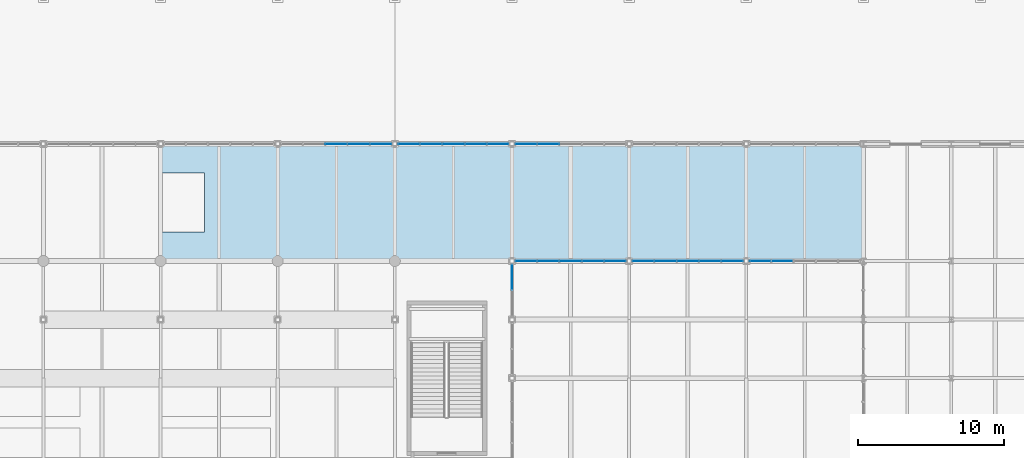
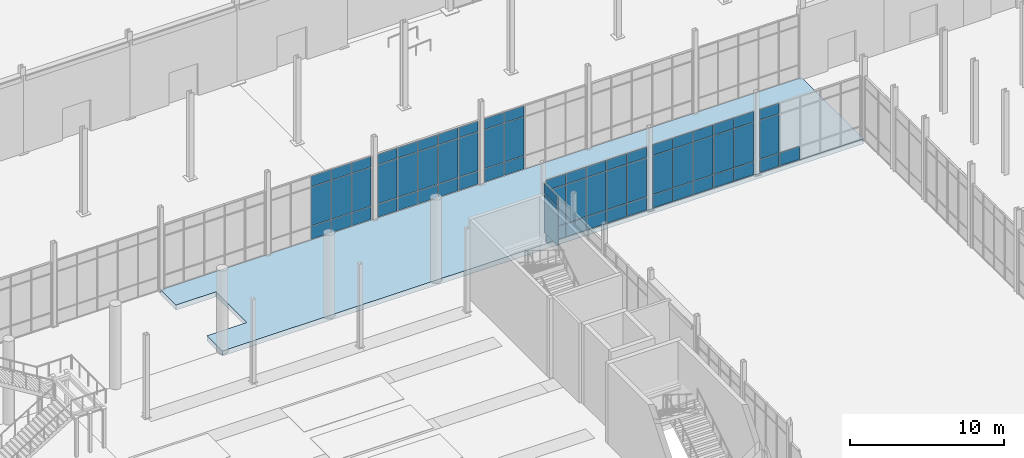
# One storey, part 101 of 140: 66 plates, 1 slab, 7 elements without a shape of their own.
"""IFC4 building model written with IfcOpenShell, lengths in metres."""

from ifc_helpers import new_model, si_unit, direction, frame, origin, origin_2d, place, context, subcontext, project, spatial, polyline, rectangle, outline, extrude, material, layer, layer_set, type_object, element, aggregate, save


model = new_model("IFC4")

# Units and contexts
model_context = context("Model", 3, precision=1e-05, world=origin(), true_north=direction((0.0, 1.0)))
body_context = subcontext(model_context, "Body", "Model", "MODEL_VIEW")
ifc_project = project(units=[si_unit("LENGTHUNIT", "METRE"), si_unit("AREAUNIT", "SQUARE_METRE"), si_unit("VOLUMEUNIT", "CUBIC_METRE"), si_unit("PLANEANGLEUNIT", "RADIAN"), si_unit("MASSUNIT", "GRAM", prefix="KILO")], contexts=[model_context])

# Site, building, storey
site_placement = place(None, origin())
site = spatial("IfcSite", under=ifc_project, at=site_placement, CompositionType="ELEMENT")
building_placement = place(site_placement, origin())
building = spatial("IfcBuilding", under=site, at=building_placement, Name="Verrall Gate Interchange", CompositionType="ELEMENT")
storey_placement = place(building_placement, origin())
storey = spatial("IfcBuildingStorey", under=building, at=storey_placement, Name="L01", CompositionType="ELEMENT", Elevation=0.0)

# Curtain wall, plates
ifc_material_1 = material(Name="Thermally Broken Anodized Aluminium Curtain Wall Framing", Category="aluminium")
curtain_wall_type_1 = type_object("IfcCurtainWallType", Name="CW-05 Unitized Curtain Wall 3631x5100", PredefinedType="NOTDEFINED", material=ifc_material_1)
curtain_wall_1_placement = place(storey_placement, origin())
curtain_wall_1 = element("IfcCurtainWall", 1, at=curtain_wall_1_placement, inside=storey, type_object=curtain_wall_type_1, Name="L01 Unitized Curtain Wall CW-L01-008", PredefinedType="NOTDEFINED")
ifc_material_2 = material(Name="Triple-Glazed Low-E Argon Insulated Curtain Panel (U=1.45)", Category="glass")
ifc_layer_1 = layer(ifc_material_2, 0.030029296875)
ifc_layer_set_1 = layer_set([ifc_layer_1], Name="Triple-Glazed Low-E Argon Insulated Curtain Panel (U=1.45)")
plate_type_1 = type_object("IfcPlateType", Name="CP-01 Curtain Glazing Panel 30", PredefinedType="CURTAIN_PANEL", material=ifc_layer_set_1)
plate_1_placement = place(storey_placement, frame((108.0, 46.8916015625, 1.1220703125), z_axis=(0.0, 0.0, 1.0), x_axis=(0.0, 1.0, 0.0)))
plate_1 = element("IfcPlate", 2, at=plate_1_placement, type_object=plate_type_1, Name="CW-L01-008 Glazing Panel 2.2", PredefinedType="CURTAIN_PANEL", context=body_context, shape_type="SweptSolid", body=[
    extrude(rectangle(XDim=1.73876953125, YDim=0.030029296875, at=origin_2d()), origin(), (0.0, 0.0, 1.0), 3.055908203125),
])
plate_2_placement = place(storey_placement, frame((108.0, 46.8916015625, 4.22216796875), z_axis=(0.0, 0.0, 1.0), x_axis=(0.0, 1.0, 0.0)))
plate_2 = element("IfcPlate", 3, at=plate_2_placement, type_object=plate_type_1, Name="CW-L01-008 Glazing Panel 2.3", PredefinedType="CURTAIN_PANEL", context=body_context, shape_type="SweptSolid", body=[
    extrude(rectangle(XDim=1.73876953125, YDim=0.030029296875, at=origin_2d()), origin(), (0.0, 0.0, 1.0), 0.8232421875),
])
aggregate(curtain_wall_1, [plate_1, plate_2])

ifc_material_3 = material(Name="Thermally Broken Anodized Aluminium Curtain Wall Framing", Category="aluminium")
curtain_wall_type_2 = type_object("IfcCurtainWallType", Name="CW-06 Unitized Curtain Wall 7631x5100", PredefinedType="NOTDEFINED", material=ifc_material_3)
curtain_wall_2_placement = place(storey_placement, origin())
curtain_wall_2 = element("IfcCurtainWall", 4, at=curtain_wall_2_placement, inside=storey, type_object=curtain_wall_type_2, Name="L01 Unitized Curtain Wall CW-L01-009", PredefinedType="NOTDEFINED")
plate_3_placement = place(storey_placement, frame((108.96630859375, 48.0, 0.06298828125), z_axis=(0.0, 0.0, 1.0), x_axis=(1.0, 0.0, 0.0)))
plate_3 = element("IfcPlate", 5, at=plate_3_placement, type_object=plate_type_1, Name="CW-L01-009 Glazing Panel 1.1", PredefinedType="CURTAIN_PANEL", context=body_context, shape_type="SweptSolid", body=[
    extrude(rectangle(XDim=1.437744140625, YDim=0.030029296875, at=origin_2d()), origin(), (0.0, 0.0, 1.0), 1.011474609375),
])
plate_4_placement = place(storey_placement, frame((108.96630859375, 48.0, 1.12548828125), z_axis=(0.0, 0.0, 1.0), x_axis=(1.0, 0.0, 0.0)))
plate_4 = element("IfcPlate", 6, at=plate_4_placement, type_object=plate_type_1, Name="CW-L01-009 Glazing Panel 1.2", PredefinedType="CURTAIN_PANEL", context=body_context, shape_type="SweptSolid", body=[
    extrude(rectangle(XDim=1.437744140625, YDim=0.030029296875, at=origin_2d()), origin(), (0.0, 0.0, 1.0), 3.049072265625),
])
plate_5_placement = place(storey_placement, frame((108.96630859375, 48.0, 4.225341796875), z_axis=(0.0, 0.0, 1.0), x_axis=(1.0, 0.0, 0.0)))
plate_5 = element("IfcPlate", 7, at=plate_5_placement, type_object=plate_type_1, Name="CW-L01-009 Glazing Panel 1.3", PredefinedType="CURTAIN_PANEL", context=body_context, shape_type="SweptSolid", body=[
    extrude(rectangle(XDim=1.437744140625, YDim=0.030029296875, at=origin_2d()), origin(), (0.0, 0.0, 1.0), 0.8115234375),
])
plate_6_placement = place(storey_placement, frame((110.473876953125, 48.0, 0.06298828125), z_axis=(0.0, 0.0, 1.0), x_axis=(1.0, 0.0, 0.0)))
plate_6 = element("IfcPlate", 8, at=plate_6_placement, type_object=plate_type_1, Name="CW-L01-009 Glazing Panel 2.1", PredefinedType="CURTAIN_PANEL", context=body_context, shape_type="SweptSolid", body=[
    extrude(rectangle(XDim=1.47509765625, YDim=0.030029296875, at=origin_2d()), origin(), (0.0, 0.0, 1.0), 1.011474609375),
])
plate_7_placement = place(storey_placement, frame((110.473876953125, 48.0, 1.12548828125), z_axis=(0.0, 0.0, 1.0), x_axis=(1.0, 0.0, 0.0)))
plate_7 = element("IfcPlate", 9, at=plate_7_placement, type_object=plate_type_1, Name="CW-L01-009 Glazing Panel 2.2", PredefinedType="CURTAIN_PANEL", context=body_context, shape_type="SweptSolid", body=[
    extrude(rectangle(XDim=1.47509765625, YDim=0.030029296875, at=origin_2d()), origin(), (0.0, 0.0, 1.0), 3.049072265625),
])
plate_8_placement = place(storey_placement, frame((110.473876953125, 48.0, 4.225341796875), z_axis=(0.0, 0.0, 1.0), x_axis=(1.0, 0.0, 0.0)))
plate_8 = element("IfcPlate", 10, at=plate_8_placement, type_object=plate_type_1, Name="CW-L01-009 Glazing Panel 2.3", PredefinedType="CURTAIN_PANEL", context=body_context, shape_type="SweptSolid", body=[
    extrude(rectangle(XDim=1.47509765625, YDim=0.030029296875, at=origin_2d()), origin(), (0.0, 0.0, 1.0), 0.8115234375),
])
plate_9_placement = place(storey_placement, frame((112.0, 48.0, 0.06298828125), z_axis=(0.0, 0.0, 1.0), x_axis=(1.0, 0.0, 0.0)))
plate_9 = element("IfcPlate", 11, at=plate_9_placement, type_object=plate_type_1, Name="CW-L01-009 Glazing Panel 3.1", PredefinedType="CURTAIN_PANEL", context=body_context, shape_type="SweptSolid", body=[
    extrude(rectangle(XDim=1.47509765625, YDim=0.030029296875, at=origin_2d()), origin(), (0.0, 0.0, 1.0), 1.011474609375),
])
plate_10_placement = place(storey_placement, frame((112.0, 48.0, 1.12548828125), z_axis=(0.0, 0.0, 1.0), x_axis=(1.0, 0.0, 0.0)))
plate_10 = element("IfcPlate", 12, at=plate_10_placement, type_object=plate_type_1, Name="CW-L01-009 Glazing Panel 3.2", PredefinedType="CURTAIN_PANEL", context=body_context, shape_type="SweptSolid", body=[
    extrude(rectangle(XDim=1.47509765625, YDim=0.030029296875, at=origin_2d()), origin(), (0.0, 0.0, 1.0), 3.049072265625),
])
plate_11_placement = place(storey_placement, frame((112.0, 48.0, 4.225341796875), z_axis=(0.0, 0.0, 1.0), x_axis=(1.0, 0.0, 0.0)))
plate_11 = element("IfcPlate", 13, at=plate_11_placement, type_object=plate_type_1, Name="CW-L01-009 Glazing Panel 3.3", PredefinedType="CURTAIN_PANEL", context=body_context, shape_type="SweptSolid", body=[
    extrude(rectangle(XDim=1.47509765625, YDim=0.030029296875, at=origin_2d()), origin(), (0.0, 0.0, 1.0), 0.8115234375),
])
plate_12_placement = place(storey_placement, frame((113.526123046875, 48.0, 0.06298828125), z_axis=(0.0, 0.0, 1.0), x_axis=(1.0, 0.0, 0.0)))
plate_12 = element("IfcPlate", 14, at=plate_12_placement, type_object=plate_type_1, Name="CW-L01-009 Glazing Panel 4.1", PredefinedType="CURTAIN_PANEL", context=body_context, shape_type="SweptSolid", body=[
    extrude(rectangle(XDim=1.47509765625, YDim=0.030029296875, at=origin_2d()), origin(), (0.0, 0.0, 1.0), 1.011474609375),
])
plate_13_placement = place(storey_placement, frame((113.526123046875, 48.0, 1.12548828125), z_axis=(0.0, 0.0, 1.0), x_axis=(1.0, 0.0, 0.0)))
plate_13 = element("IfcPlate", 15, at=plate_13_placement, type_object=plate_type_1, Name="CW-L01-009 Glazing Panel 4.2", PredefinedType="CURTAIN_PANEL", context=body_context, shape_type="SweptSolid", body=[
    extrude(rectangle(XDim=1.47509765625, YDim=0.030029296875, at=origin_2d()), origin(), (0.0, 0.0, 1.0), 3.049072265625),
])
plate_14_placement = place(storey_placement, frame((113.526123046875, 48.0, 4.225341796875), z_axis=(0.0, 0.0, 1.0), x_axis=(1.0, 0.0, 0.0)))
plate_14 = element("IfcPlate", 16, at=plate_14_placement, type_object=plate_type_1, Name="CW-L01-009 Glazing Panel 4.3", PredefinedType="CURTAIN_PANEL", context=body_context, shape_type="SweptSolid", body=[
    extrude(rectangle(XDim=1.47509765625, YDim=0.030029296875, at=origin_2d()), origin(), (0.0, 0.0, 1.0), 0.8115234375),
])
plate_15_placement = place(storey_placement, frame((115.03369140625, 48.0, 0.06298828125), z_axis=(0.0, 0.0, 1.0), x_axis=(1.0, 0.0, 0.0)))
plate_15 = element("IfcPlate", 17, at=plate_15_placement, type_object=plate_type_1, Name="CW-L01-009 Glazing Panel 5.1", PredefinedType="CURTAIN_PANEL", context=body_context, shape_type="SweptSolid", body=[
    extrude(rectangle(XDim=1.437744140625, YDim=0.030029296875, at=origin_2d()), origin(), (0.0, 0.0, 1.0), 1.011474609375),
])
plate_16_placement = place(storey_placement, frame((115.03369140625, 48.0, 1.12548828125), z_axis=(0.0, 0.0, 1.0), x_axis=(1.0, 0.0, 0.0)))
plate_16 = element("IfcPlate", 18, at=plate_16_placement, type_object=plate_type_1, Name="CW-L01-009 Glazing Panel 5.2", PredefinedType="CURTAIN_PANEL", context=body_context, shape_type="SweptSolid", body=[
    extrude(rectangle(XDim=1.437744140625, YDim=0.030029296875, at=origin_2d()), origin(), (0.0, 0.0, 1.0), 3.049072265625),
])
plate_17_placement = place(storey_placement, frame((115.03369140625, 48.0, 4.225341796875), z_axis=(0.0, 0.0, 1.0), x_axis=(1.0, 0.0, 0.0)))
plate_17 = element("IfcPlate", 19, at=plate_17_placement, type_object=plate_type_1, Name="CW-L01-009 Glazing Panel 5.3", PredefinedType="CURTAIN_PANEL", context=body_context, shape_type="SweptSolid", body=[
    extrude(rectangle(XDim=1.437744140625, YDim=0.030029296875, at=origin_2d()), origin(), (0.0, 0.0, 1.0), 0.8115234375),
])
aggregate(curtain_wall_2, [plate_3, plate_4, plate_5, plate_6, plate_7, plate_8, plate_9, plate_10, plate_11, plate_12, plate_13, plate_14, plate_15, plate_16, plate_17])

curtain_wall_3_placement = place(storey_placement, origin())
curtain_wall_3 = element("IfcCurtainWall", 20, at=curtain_wall_3_placement, inside=storey, type_object=curtain_wall_type_2, Name="L01 Unitized Curtain Wall CW-L01-016", PredefinedType="NOTDEFINED")
plate_18_placement = place(storey_placement, frame((99.0361328125, 56.0, 0.0546875), z_axis=(0.0, 0.0, 1.0), x_axis=(-1.0, 0.0, 0.0)))
plate_18 = element("IfcPlate", 21, at=plate_18_placement, type_object=plate_type_1, Name="CW-L01-016 Glazing Panel 1.1", PredefinedType="CURTAIN_PANEL", context=body_context, shape_type="SweptSolid", body=[
    extrude(rectangle(XDim=1.449462890625, YDim=0.030029296875, at=origin_2d()), origin(), (0.0, 0.0, 1.0), 1.023193359375),
])
plate_19_placement = place(storey_placement, frame((99.0361328125, 56.0, 1.1220703125), z_axis=(0.0, 0.0, 1.0), x_axis=(-1.0, 0.0, 0.0)))
plate_19 = element("IfcPlate", 22, at=plate_19_placement, type_object=plate_type_1, Name="CW-L01-016 Glazing Panel 1.2", PredefinedType="CURTAIN_PANEL", context=body_context, shape_type="SweptSolid", body=[
    extrude(rectangle(XDim=1.449462890625, YDim=0.030029296875, at=origin_2d()), origin(), (0.0, 0.0, 1.0), 3.055908203125),
])
plate_20_placement = place(storey_placement, frame((99.0361328125, 56.0, 4.22216796875), z_axis=(0.0, 0.0, 1.0), x_axis=(-1.0, 0.0, 0.0)))
plate_20 = element("IfcPlate", 23, at=plate_20_placement, type_object=plate_type_1, Name="CW-L01-016 Glazing Panel 1.3", PredefinedType="CURTAIN_PANEL", context=body_context, shape_type="SweptSolid", body=[
    extrude(rectangle(XDim=1.449462890625, YDim=0.030029296875, at=origin_2d()), origin(), (0.0, 0.0, 1.0), 0.8232421875),
])
plate_21_placement = place(storey_placement, frame((97.526123046875, 56.0, 0.0546875), z_axis=(0.0, 0.0, 1.0), x_axis=(-1.0, 0.0, 0.0)))
plate_21 = element("IfcPlate", 24, at=plate_21_placement, type_object=plate_type_1, Name="CW-L01-016 Glazing Panel 2.1", PredefinedType="CURTAIN_PANEL", context=body_context, shape_type="SweptSolid", body=[
    extrude(rectangle(XDim=1.48193359375, YDim=0.030029296875, at=origin_2d()), origin(), (0.0, 0.0, 1.0), 1.023193359375),
])
plate_22_placement = place(storey_placement, frame((97.526123046875, 56.0, 1.1220703125), z_axis=(0.0, 0.0, 1.0), x_axis=(-1.0, 0.0, 0.0)))
plate_22 = element("IfcPlate", 25, at=plate_22_placement, type_object=plate_type_1, Name="CW-L01-016 Glazing Panel 2.2", PredefinedType="CURTAIN_PANEL", context=body_context, shape_type="SweptSolid", body=[
    extrude(rectangle(XDim=1.48193359375, YDim=0.030029296875, at=origin_2d()), origin(), (0.0, 0.0, 1.0), 3.055908203125),
])
plate_23_placement = place(storey_placement, frame((97.526123046875, 56.0, 4.22216796875), z_axis=(0.0, 0.0, 1.0), x_axis=(-1.0, 0.0, 0.0)))
plate_23 = element("IfcPlate", 26, at=plate_23_placement, type_object=plate_type_1, Name="CW-L01-016 Glazing Panel 2.3", PredefinedType="CURTAIN_PANEL", context=body_context, shape_type="SweptSolid", body=[
    extrude(rectangle(XDim=1.48193359375, YDim=0.030029296875, at=origin_2d()), origin(), (0.0, 0.0, 1.0), 0.8232421875),
])
plate_24_placement = place(storey_placement, frame((96.0, 56.0, 0.0546875), z_axis=(0.0, 0.0, 1.0), x_axis=(-1.0, 0.0, 0.0)))
plate_24 = element("IfcPlate", 27, at=plate_24_placement, type_object=plate_type_1, Name="CW-L01-016 Glazing Panel 3.1", PredefinedType="CURTAIN_PANEL", context=body_context, shape_type="SweptSolid", body=[
    extrude(rectangle(XDim=1.48193359375, YDim=0.030029296875, at=origin_2d()), origin(), (0.0, 0.0, 1.0), 1.023193359375),
])
plate_25_placement = place(storey_placement, frame((96.0, 56.0, 1.1220703125), z_axis=(0.0, 0.0, 1.0), x_axis=(-1.0, 0.0, 0.0)))
plate_25 = element("IfcPlate", 28, at=plate_25_placement, type_object=plate_type_1, Name="CW-L01-016 Glazing Panel 3.2", PredefinedType="CURTAIN_PANEL", context=body_context, shape_type="SweptSolid", body=[
    extrude(rectangle(XDim=1.48193359375, YDim=0.030029296875, at=origin_2d()), origin(), (0.0, 0.0, 1.0), 3.055908203125),
])
plate_26_placement = place(storey_placement, frame((96.0, 56.0, 4.22216796875), z_axis=(0.0, 0.0, 1.0), x_axis=(-1.0, 0.0, 0.0)))
plate_26 = element("IfcPlate", 29, at=plate_26_placement, type_object=plate_type_1, Name="CW-L01-016 Glazing Panel 3.3", PredefinedType="CURTAIN_PANEL", context=body_context, shape_type="SweptSolid", body=[
    extrude(rectangle(XDim=1.48193359375, YDim=0.030029296875, at=origin_2d()), origin(), (0.0, 0.0, 1.0), 0.8232421875),
])
aggregate(curtain_wall_3, [plate_18, plate_19, plate_20, plate_21, plate_22, plate_23, plate_24, plate_25, plate_26])

curtain_wall_4_placement = place(storey_placement, origin())
curtain_wall_4 = element("IfcCurtainWall", 30, at=curtain_wall_4_placement, inside=storey, type_object=curtain_wall_type_2, Name="L01 Unitized Curtain Wall CW-L01-010", PredefinedType="NOTDEFINED")
ifc_material_4 = material(Name="Triple-Glazed Low-E Argon Insulated Curtain Panel (U=1.45)", Category="glass")
ifc_layer_2 = layer(ifc_material_4, 0.0400390625)
ifc_layer_set_2 = layer_set([ifc_layer_2], Name="Triple-Glazed Low-E Argon Insulated Curtain Panel (U=1.45)")
plate_type_2 = type_object("IfcPlateType", Name="CP-02 Curtain Glazing Panel 40", PredefinedType="CURTAIN_PANEL", material=ifc_layer_set_2)
plate_27_placement = place(storey_placement, frame((116.9638671875, 48.0, 0.0546875), z_axis=(0.0, 0.0, 1.0), x_axis=(1.0, 0.0, 0.0)))
plate_27 = element("IfcPlate", 31, at=plate_27_placement, type_object=plate_type_2, Name="CW-L01-010 Glazing Panel 1.1", PredefinedType="CURTAIN_PANEL", context=body_context, shape_type="SweptSolid", body=[
    extrude(rectangle(XDim=1.449462890625, YDim=0.0400390625, at=origin_2d()), origin(), (0.0, 0.0, 1.0), 1.023193359375),
])
plate_28_placement = place(storey_placement, frame((116.9638671875, 48.0, 1.1220703125), z_axis=(0.0, 0.0, 1.0), x_axis=(1.0, 0.0, 0.0)))
plate_28 = element("IfcPlate", 32, at=plate_28_placement, type_object=plate_type_2, Name="CW-L01-010 Glazing Panel 1.2", PredefinedType="CURTAIN_PANEL", context=body_context, shape_type="SweptSolid", body=[
    extrude(rectangle(XDim=1.449462890625, YDim=0.0400390625, at=origin_2d()), origin(), (0.0, 0.0, 1.0), 3.055908203125),
])
plate_29_placement = place(storey_placement, frame((116.9638671875, 48.0, 4.22216796875), z_axis=(0.0, 0.0, 1.0), x_axis=(1.0, 0.0, 0.0)))
plate_29 = element("IfcPlate", 33, at=plate_29_placement, type_object=plate_type_2, Name="CW-L01-010 Glazing Panel 1.3", PredefinedType="CURTAIN_PANEL", context=body_context, shape_type="SweptSolid", body=[
    extrude(rectangle(XDim=1.449462890625, YDim=0.0400390625, at=origin_2d()), origin(), (0.0, 0.0, 1.0), 0.8232421875),
])
plate_30_placement = place(storey_placement, frame((118.473876953125, 48.0, 0.0546875), z_axis=(0.0, 0.0, 1.0), x_axis=(1.0, 0.0, 0.0)))
plate_30 = element("IfcPlate", 34, at=plate_30_placement, type_object=plate_type_2, Name="CW-L01-010 Glazing Panel 2.1", PredefinedType="CURTAIN_PANEL", context=body_context, shape_type="SweptSolid", body=[
    extrude(rectangle(XDim=1.48193359375, YDim=0.0400390625, at=origin_2d()), origin(), (0.0, 0.0, 1.0), 1.023193359375),
])
plate_31_placement = place(storey_placement, frame((118.473876953125, 48.0, 1.1220703125), z_axis=(0.0, 0.0, 1.0), x_axis=(1.0, 0.0, 0.0)))
plate_31 = element("IfcPlate", 35, at=plate_31_placement, type_object=plate_type_2, Name="CW-L01-010 Glazing Panel 2.2", PredefinedType="CURTAIN_PANEL", context=body_context, shape_type="SweptSolid", body=[
    extrude(rectangle(XDim=1.48193359375, YDim=0.0400390625, at=origin_2d()), origin(), (0.0, 0.0, 1.0), 3.055908203125),
])
plate_32_placement = place(storey_placement, frame((118.473876953125, 48.0, 4.22216796875), z_axis=(0.0, 0.0, 1.0), x_axis=(1.0, 0.0, 0.0)))
plate_32 = element("IfcPlate", 36, at=plate_32_placement, type_object=plate_type_2, Name="CW-L01-010 Glazing Panel 2.3", PredefinedType="CURTAIN_PANEL", context=body_context, shape_type="SweptSolid", body=[
    extrude(rectangle(XDim=1.48193359375, YDim=0.0400390625, at=origin_2d()), origin(), (0.0, 0.0, 1.0), 0.8232421875),
])
plate_33_placement = place(storey_placement, frame((120.0, 48.0, 0.0546875), z_axis=(0.0, 0.0, 1.0), x_axis=(1.0, 0.0, 0.0)))
plate_33 = element("IfcPlate", 37, at=plate_33_placement, type_object=plate_type_2, Name="CW-L01-010 Glazing Panel 3.1", PredefinedType="CURTAIN_PANEL", context=body_context, shape_type="SweptSolid", body=[
    extrude(rectangle(XDim=1.48193359375, YDim=0.0400390625, at=origin_2d()), origin(), (0.0, 0.0, 1.0), 1.023193359375),
])
plate_34_placement = place(storey_placement, frame((120.0, 48.0, 1.1220703125), z_axis=(0.0, 0.0, 1.0), x_axis=(1.0, 0.0, 0.0)))
plate_34 = element("IfcPlate", 38, at=plate_34_placement, type_object=plate_type_2, Name="CW-L01-010 Glazing Panel 3.2", PredefinedType="CURTAIN_PANEL", context=body_context, shape_type="SweptSolid", body=[
    extrude(rectangle(XDim=1.48193359375, YDim=0.0400390625, at=origin_2d()), origin(), (0.0, 0.0, 1.0), 3.055908203125),
])
plate_35_placement = place(storey_placement, frame((120.0, 48.0, 4.22216796875), z_axis=(0.0, 0.0, 1.0), x_axis=(1.0, 0.0, 0.0)))
plate_35 = element("IfcPlate", 39, at=plate_35_placement, type_object=plate_type_2, Name="CW-L01-010 Glazing Panel 3.3", PredefinedType="CURTAIN_PANEL", context=body_context, shape_type="SweptSolid", body=[
    extrude(rectangle(XDim=1.48193359375, YDim=0.0400390625, at=origin_2d()), origin(), (0.0, 0.0, 1.0), 0.8232421875),
])
plate_36_placement = place(storey_placement, frame((121.526123046875, 48.0, 0.0546875), z_axis=(0.0, 0.0, 1.0), x_axis=(1.0, 0.0, 0.0)))
plate_36 = element("IfcPlate", 40, at=plate_36_placement, type_object=plate_type_2, Name="CW-L01-010 Glazing Panel 4.1", PredefinedType="CURTAIN_PANEL", context=body_context, shape_type="SweptSolid", body=[
    extrude(rectangle(XDim=1.48193359375, YDim=0.0400390625, at=origin_2d()), origin(), (0.0, 0.0, 1.0), 1.023193359375),
])
plate_37_placement = place(storey_placement, frame((121.526123046875, 48.0, 1.1220703125), z_axis=(0.0, 0.0, 1.0), x_axis=(1.0, 0.0, 0.0)))
plate_37 = element("IfcPlate", 41, at=plate_37_placement, type_object=plate_type_2, Name="CW-L01-010 Glazing Panel 4.2", PredefinedType="CURTAIN_PANEL", context=body_context, shape_type="SweptSolid", body=[
    extrude(rectangle(XDim=1.48193359375, YDim=0.0400390625, at=origin_2d()), origin(), (0.0, 0.0, 1.0), 3.055908203125),
])
plate_38_placement = place(storey_placement, frame((121.526123046875, 48.0, 4.22216796875), z_axis=(0.0, 0.0, 1.0), x_axis=(1.0, 0.0, 0.0)))
plate_38 = element("IfcPlate", 42, at=plate_38_placement, type_object=plate_type_2, Name="CW-L01-010 Glazing Panel 4.3", PredefinedType="CURTAIN_PANEL", context=body_context, shape_type="SweptSolid", body=[
    extrude(rectangle(XDim=1.48193359375, YDim=0.0400390625, at=origin_2d()), origin(), (0.0, 0.0, 1.0), 0.8232421875),
])
plate_39_placement = place(storey_placement, frame((123.0361328125, 48.0, 0.0546875), z_axis=(0.0, 0.0, 1.0), x_axis=(1.0, 0.0, 0.0)))
plate_39 = element("IfcPlate", 43, at=plate_39_placement, type_object=plate_type_2, Name="CW-L01-010 Glazing Panel 5.1", PredefinedType="CURTAIN_PANEL", context=body_context, shape_type="SweptSolid", body=[
    extrude(rectangle(XDim=1.449462890625, YDim=0.0400390625, at=origin_2d()), origin(), (0.0, 0.0, 1.0), 1.023193359375),
])
plate_40_placement = place(storey_placement, frame((123.0361328125, 48.0, 1.1220703125), z_axis=(0.0, 0.0, 1.0), x_axis=(1.0, 0.0, 0.0)))
plate_40 = element("IfcPlate", 44, at=plate_40_placement, type_object=plate_type_2, Name="CW-L01-010 Glazing Panel 5.2", PredefinedType="CURTAIN_PANEL", context=body_context, shape_type="SweptSolid", body=[
    extrude(rectangle(XDim=1.449462890625, YDim=0.0400390625, at=origin_2d()), origin(), (0.0, 0.0, 1.0), 3.055908203125),
])
plate_41_placement = place(storey_placement, frame((123.0361328125, 48.0, 4.22216796875), z_axis=(0.0, 0.0, 1.0), x_axis=(1.0, 0.0, 0.0)))
plate_41 = element("IfcPlate", 45, at=plate_41_placement, type_object=plate_type_2, Name="CW-L01-010 Glazing Panel 5.3", PredefinedType="CURTAIN_PANEL", context=body_context, shape_type="SweptSolid", body=[
    extrude(rectangle(XDim=1.449462890625, YDim=0.0400390625, at=origin_2d()), origin(), (0.0, 0.0, 1.0), 0.8232421875),
])
aggregate(curtain_wall_4, [plate_27, plate_28, plate_29, plate_30, plate_31, plate_32, plate_33, plate_34, plate_35, plate_36, plate_37, plate_38, plate_39, plate_40, plate_41])

curtain_wall_5_placement = place(storey_placement, origin())
curtain_wall_5 = element("IfcCurtainWall", 46, at=curtain_wall_5_placement, inside=storey, type_object=curtain_wall_type_2, Name="L01 Unitized Curtain Wall CW-L01-011", PredefinedType="NOTDEFINED")
plate_42_placement = place(storey_placement, frame((124.963134765625, 48.0, 0.06298828125), z_axis=(0.0, 0.0, 1.0), x_axis=(1.0, 0.0, 0.0)))
plate_42 = element("IfcPlate", 47, at=plate_42_placement, type_object=plate_type_2, Name="CW-L01-011 Glazing Panel 1.1", PredefinedType="CURTAIN_PANEL", context=body_context, shape_type="SweptSolid", body=[
    extrude(rectangle(XDim=1.431396484375, YDim=0.0400390625, at=origin_2d()), origin(), (0.0, 0.0, 1.0), 1.011474609375),
])
plate_43_placement = place(storey_placement, frame((124.963134765625, 48.0, 1.12548828125), z_axis=(0.0, 0.0, 1.0), x_axis=(1.0, 0.0, 0.0)))
plate_43 = element("IfcPlate", 48, at=plate_43_placement, type_object=plate_type_2, Name="CW-L01-011 Glazing Panel 1.2", PredefinedType="CURTAIN_PANEL", context=body_context, shape_type="SweptSolid", body=[
    extrude(rectangle(XDim=1.431396484375, YDim=0.0400390625, at=origin_2d()), origin(), (0.0, 0.0, 1.0), 3.049072265625),
])
plate_44_placement = place(storey_placement, frame((124.963134765625, 48.0, 4.225341796875), z_axis=(0.0, 0.0, 1.0), x_axis=(1.0, 0.0, 0.0)))
plate_44 = element("IfcPlate", 49, at=plate_44_placement, type_object=plate_type_2, Name="CW-L01-011 Glazing Panel 1.3", PredefinedType="CURTAIN_PANEL", context=body_context, shape_type="SweptSolid", body=[
    extrude(rectangle(XDim=1.431396484375, YDim=0.0400390625, at=origin_2d()), origin(), (0.0, 0.0, 1.0), 0.8115234375),
])
plate_45_placement = place(storey_placement, frame((126.464111328125, 48.0, 0.06298828125), z_axis=(0.0, 0.0, 1.0), x_axis=(1.0, 0.0, 0.0)))
plate_45 = element("IfcPlate", 50, at=plate_45_placement, type_object=plate_type_2, Name="CW-L01-011 Glazing Panel 2.1", PredefinedType="CURTAIN_PANEL", context=body_context, shape_type="SweptSolid", body=[
    extrude(rectangle(XDim=1.46875, YDim=0.0400390625, at=origin_2d()), origin(), (0.0, 0.0, 1.0), 1.011474609375),
])
aggregate(curtain_wall_5, [plate_42, plate_43, plate_44, plate_45])

curtain_wall_6_placement = place(storey_placement, origin())
curtain_wall_6 = element("IfcCurtainWall", 51, at=curtain_wall_6_placement, inside=storey, type_object=curtain_wall_type_2, Name="L01 Unitized Curtain Wall CW-L01-014", PredefinedType="NOTDEFINED")
plate_46_placement = place(storey_placement, frame((110.473876953125, 56.0, 0.0546875), z_axis=(0.0, 0.0, 1.0), x_axis=(-1.0, 0.0, 0.0)))
plate_46 = element("IfcPlate", 52, at=plate_46_placement, type_object=plate_type_2, Name="CW-L01-014 Glazing Panel 4.1", PredefinedType="CURTAIN_PANEL", context=body_context, shape_type="SweptSolid", body=[
    extrude(rectangle(XDim=1.48193359375, YDim=0.0400390625, at=origin_2d()), origin(), (0.0, 0.0, 1.0), 1.023193359375),
])
plate_47_placement = place(storey_placement, frame((110.473876953125, 56.0, 1.1220703125), z_axis=(0.0, 0.0, 1.0), x_axis=(-1.0, 0.0, 0.0)))
plate_47 = element("IfcPlate", 53, at=plate_47_placement, type_object=plate_type_2, Name="CW-L01-014 Glazing Panel 4.2", PredefinedType="CURTAIN_PANEL", context=body_context, shape_type="SweptSolid", body=[
    extrude(rectangle(XDim=1.48193359375, YDim=0.0400390625, at=origin_2d()), origin(), (0.0, 0.0, 1.0), 3.055908203125),
])
plate_48_placement = place(storey_placement, frame((110.473876953125, 56.0, 4.22216796875), z_axis=(0.0, 0.0, 1.0), x_axis=(-1.0, 0.0, 0.0)))
plate_48 = element("IfcPlate", 54, at=plate_48_placement, type_object=plate_type_2, Name="CW-L01-014 Glazing Panel 4.3", PredefinedType="CURTAIN_PANEL", context=body_context, shape_type="SweptSolid", body=[
    extrude(rectangle(XDim=1.48193359375, YDim=0.0400390625, at=origin_2d()), origin(), (0.0, 0.0, 1.0), 0.8232421875),
])
plate_49_placement = place(storey_placement, frame((108.9638671875, 56.0, 0.0546875), z_axis=(0.0, 0.0, 1.0), x_axis=(-1.0, 0.0, 0.0)))
plate_49 = element("IfcPlate", 55, at=plate_49_placement, type_object=plate_type_2, Name="CW-L01-014 Glazing Panel 5.1", PredefinedType="CURTAIN_PANEL", context=body_context, shape_type="SweptSolid", body=[
    extrude(rectangle(XDim=1.449462890625, YDim=0.0400390625, at=origin_2d()), origin(), (0.0, 0.0, 1.0), 1.023193359375),
])
plate_50_placement = place(storey_placement, frame((108.9638671875, 56.0, 1.1220703125), z_axis=(0.0, 0.0, 1.0), x_axis=(-1.0, 0.0, 0.0)))
plate_50 = element("IfcPlate", 56, at=plate_50_placement, type_object=plate_type_2, Name="CW-L01-014 Glazing Panel 5.2", PredefinedType="CURTAIN_PANEL", context=body_context, shape_type="SweptSolid", body=[
    extrude(rectangle(XDim=1.449462890625, YDim=0.0400390625, at=origin_2d()), origin(), (0.0, 0.0, 1.0), 3.055908203125),
])
plate_51_placement = place(storey_placement, frame((108.9638671875, 56.0, 4.22216796875), z_axis=(0.0, 0.0, 1.0), x_axis=(-1.0, 0.0, 0.0)))
plate_51 = element("IfcPlate", 57, at=plate_51_placement, type_object=plate_type_2, Name="CW-L01-014 Glazing Panel 5.3", PredefinedType="CURTAIN_PANEL", context=body_context, shape_type="SweptSolid", body=[
    extrude(rectangle(XDim=1.449462890625, YDim=0.0400390625, at=origin_2d()), origin(), (0.0, 0.0, 1.0), 0.8232421875),
])
aggregate(curtain_wall_6, [plate_46, plate_47, plate_48, plate_49, plate_50, plate_51])

curtain_wall_7_placement = place(storey_placement, origin())
curtain_wall_7 = element("IfcCurtainWall", 58, at=curtain_wall_7_placement, inside=storey, type_object=curtain_wall_type_2, Name="L01 Unitized Curtain Wall CW-L01-015", PredefinedType="NOTDEFINED")
plate_52_placement = place(storey_placement, frame((107.03369140625, 56.0, 0.06298828125), z_axis=(0.0, 0.0, 1.0), x_axis=(-1.0, 0.0, 0.0)))
plate_52 = element("IfcPlate", 59, at=plate_52_placement, type_object=plate_type_2, Name="CW-L01-015 Glazing Panel 1.1", PredefinedType="CURTAIN_PANEL", context=body_context, shape_type="SweptSolid", body=[
    extrude(rectangle(XDim=1.437744140625, YDim=0.0400390625, at=origin_2d()), origin(), (0.0, 0.0, 1.0), 1.011474609375),
])
plate_53_placement = place(storey_placement, frame((107.03369140625, 56.0, 1.12548828125), z_axis=(0.0, 0.0, 1.0), x_axis=(-1.0, 0.0, 0.0)))
plate_53 = element("IfcPlate", 60, at=plate_53_placement, type_object=plate_type_2, Name="CW-L01-015 Glazing Panel 1.2", PredefinedType="CURTAIN_PANEL", context=body_context, shape_type="SweptSolid", body=[
    extrude(rectangle(XDim=1.437744140625, YDim=0.0400390625, at=origin_2d()), origin(), (0.0, 0.0, 1.0), 3.049072265625),
])
plate_54_placement = place(storey_placement, frame((107.03369140625, 56.0, 4.225341796875), z_axis=(0.0, 0.0, 1.0), x_axis=(-1.0, 0.0, 0.0)))
plate_54 = element("IfcPlate", 61, at=plate_54_placement, type_object=plate_type_2, Name="CW-L01-015 Glazing Panel 1.3", PredefinedType="CURTAIN_PANEL", context=body_context, shape_type="SweptSolid", body=[
    extrude(rectangle(XDim=1.437744140625, YDim=0.0400390625, at=origin_2d()), origin(), (0.0, 0.0, 1.0), 0.8115234375),
])
plate_55_placement = place(storey_placement, frame((105.526123046875, 56.0, 0.06298828125), z_axis=(0.0, 0.0, 1.0), x_axis=(-1.0, 0.0, 0.0)))
plate_55 = element("IfcPlate", 62, at=plate_55_placement, type_object=plate_type_2, Name="CW-L01-015 Glazing Panel 2.1", PredefinedType="CURTAIN_PANEL", context=body_context, shape_type="SweptSolid", body=[
    extrude(rectangle(XDim=1.47509765625, YDim=0.0400390625, at=origin_2d()), origin(), (0.0, 0.0, 1.0), 1.011474609375),
])
plate_56_placement = place(storey_placement, frame((105.526123046875, 56.0, 1.12548828125), z_axis=(0.0, 0.0, 1.0), x_axis=(-1.0, 0.0, 0.0)))
plate_56 = element("IfcPlate", 63, at=plate_56_placement, type_object=plate_type_2, Name="CW-L01-015 Glazing Panel 2.2", PredefinedType="CURTAIN_PANEL", context=body_context, shape_type="SweptSolid", body=[
    extrude(rectangle(XDim=1.47509765625, YDim=0.0400390625, at=origin_2d()), origin(), (0.0, 0.0, 1.0), 3.049072265625),
])
plate_57_placement = place(storey_placement, frame((105.526123046875, 56.0, 4.225341796875), z_axis=(0.0, 0.0, 1.0), x_axis=(-1.0, 0.0, 0.0)))
plate_57 = element("IfcPlate", 64, at=plate_57_placement, type_object=plate_type_2, Name="CW-L01-015 Glazing Panel 2.3", PredefinedType="CURTAIN_PANEL", context=body_context, shape_type="SweptSolid", body=[
    extrude(rectangle(XDim=1.47509765625, YDim=0.0400390625, at=origin_2d()), origin(), (0.0, 0.0, 1.0), 0.8115234375),
])
plate_58_placement = place(storey_placement, frame((104.0, 56.0, 0.06298828125), z_axis=(0.0, 0.0, 1.0), x_axis=(-1.0, 0.0, 0.0)))
plate_58 = element("IfcPlate", 65, at=plate_58_placement, type_object=plate_type_2, Name="CW-L01-015 Glazing Panel 3.1", PredefinedType="CURTAIN_PANEL", context=body_context, shape_type="SweptSolid", body=[
    extrude(rectangle(XDim=1.47509765625, YDim=0.0400390625, at=origin_2d()), origin(), (0.0, 0.0, 1.0), 1.011474609375),
])
plate_59_placement = place(storey_placement, frame((104.0, 56.0, 1.12548828125), z_axis=(0.0, 0.0, 1.0), x_axis=(-1.0, 0.0, 0.0)))
plate_59 = element("IfcPlate", 66, at=plate_59_placement, type_object=plate_type_2, Name="CW-L01-015 Glazing Panel 3.2", PredefinedType="CURTAIN_PANEL", context=body_context, shape_type="SweptSolid", body=[
    extrude(rectangle(XDim=1.47509765625, YDim=0.0400390625, at=origin_2d()), origin(), (0.0, 0.0, 1.0), 3.049072265625),
])
plate_60_placement = place(storey_placement, frame((104.0, 56.0, 4.225341796875), z_axis=(0.0, 0.0, 1.0), x_axis=(-1.0, 0.0, 0.0)))
plate_60 = element("IfcPlate", 67, at=plate_60_placement, type_object=plate_type_2, Name="CW-L01-015 Glazing Panel 3.3", PredefinedType="CURTAIN_PANEL", context=body_context, shape_type="SweptSolid", body=[
    extrude(rectangle(XDim=1.47509765625, YDim=0.0400390625, at=origin_2d()), origin(), (0.0, 0.0, 1.0), 0.8115234375),
])
plate_61_placement = place(storey_placement, frame((102.473876953125, 56.0, 0.06298828125), z_axis=(0.0, 0.0, 1.0), x_axis=(-1.0, 0.0, 0.0)))
plate_61 = element("IfcPlate", 68, at=plate_61_placement, type_object=plate_type_2, Name="CW-L01-015 Glazing Panel 4.1", PredefinedType="CURTAIN_PANEL", context=body_context, shape_type="SweptSolid", body=[
    extrude(rectangle(XDim=1.47509765625, YDim=0.0400390625, at=origin_2d()), origin(), (0.0, 0.0, 1.0), 1.011474609375),
])
plate_62_placement = place(storey_placement, frame((102.473876953125, 56.0, 1.12548828125), z_axis=(0.0, 0.0, 1.0), x_axis=(-1.0, 0.0, 0.0)))
plate_62 = element("IfcPlate", 69, at=plate_62_placement, type_object=plate_type_2, Name="CW-L01-015 Glazing Panel 4.2", PredefinedType="CURTAIN_PANEL", context=body_context, shape_type="SweptSolid", body=[
    extrude(rectangle(XDim=1.47509765625, YDim=0.0400390625, at=origin_2d()), origin(), (0.0, 0.0, 1.0), 3.049072265625),
])
plate_63_placement = place(storey_placement, frame((102.473876953125, 56.0, 4.225341796875), z_axis=(0.0, 0.0, 1.0), x_axis=(-1.0, 0.0, 0.0)))
plate_63 = element("IfcPlate", 70, at=plate_63_placement, type_object=plate_type_2, Name="CW-L01-015 Glazing Panel 4.3", PredefinedType="CURTAIN_PANEL", context=body_context, shape_type="SweptSolid", body=[
    extrude(rectangle(XDim=1.47509765625, YDim=0.0400390625, at=origin_2d()), origin(), (0.0, 0.0, 1.0), 0.8115234375),
])
plate_64_placement = place(storey_placement, frame((100.96630859375, 56.0, 0.06298828125), z_axis=(0.0, 0.0, 1.0), x_axis=(-1.0, 0.0, 0.0)))
plate_64 = element("IfcPlate", 71, at=plate_64_placement, type_object=plate_type_2, Name="CW-L01-015 Glazing Panel 5.1", PredefinedType="CURTAIN_PANEL", context=body_context, shape_type="SweptSolid", body=[
    extrude(rectangle(XDim=1.437744140625, YDim=0.0400390625, at=origin_2d()), origin(), (0.0, 0.0, 1.0), 1.011474609375),
])
plate_65_placement = place(storey_placement, frame((100.96630859375, 56.0, 1.12548828125), z_axis=(0.0, 0.0, 1.0), x_axis=(-1.0, 0.0, 0.0)))
plate_65 = element("IfcPlate", 72, at=plate_65_placement, type_object=plate_type_2, Name="CW-L01-015 Glazing Panel 5.2", PredefinedType="CURTAIN_PANEL", context=body_context, shape_type="SweptSolid", body=[
    extrude(rectangle(XDim=1.437744140625, YDim=0.0400390625, at=origin_2d()), origin(), (0.0, 0.0, 1.0), 3.049072265625),
])
plate_66_placement = place(storey_placement, frame((100.96630859375, 56.0, 4.225341796875), z_axis=(0.0, 0.0, 1.0), x_axis=(-1.0, 0.0, 0.0)))
plate_66 = element("IfcPlate", 73, at=plate_66_placement, type_object=plate_type_2, Name="CW-L01-015 Glazing Panel 5.3", PredefinedType="CURTAIN_PANEL", context=body_context, shape_type="SweptSolid", body=[
    extrude(rectangle(XDim=1.437744140625, YDim=0.0400390625, at=origin_2d()), origin(), (0.0, 0.0, 1.0), 0.8115234375),
])
aggregate(curtain_wall_7, [plate_52, plate_53, plate_54, plate_55, plate_56, plate_57, plate_58, plate_59, plate_60, plate_61, plate_62, plate_63, plate_64, plate_65, plate_66])

# Slab
ifc_material_5 = material(Name="Concrete CSA A23.1 40 MPa (Class C-1)", Category="concrete")
ifc_layer_3 = layer(ifc_material_5, 0.39990234375)
ifc_layer_set_3 = layer_set([ifc_layer_3], Name="Concrete CSA A23.1 40 MPa (Class C-1)")
slab_type = type_object("IfcSlabType", Name="FS-04 Floor Slab 400", PredefinedType="FLOOR", material=ifc_layer_set_3)
slab_placement = place(storey_placement, frame((0.0, 0.0, -0.39990234375)))
element("IfcSlab", 74, at=slab_placement, inside=storey, type_object=slab_type, Name="L01 Structural Slab SLB-L01-11", PredefinedType="FLOOR", context=body_context, shape_type="SweptSolid", body=[
    extrude(outline(polyline([(132.0, 48.0), (108.0, 48.0), (84.0, 48.0), (84.0, 50.0), (87.0, 50.0), (87.0, 54.0), (84.0, 54.0), (84.0, 56.0), (132.0, 56.0), (132.0, 48.0)])), origin(), (0.0, 0.0, 1.0), 0.39990234375),
])

save(model, "model.ifc")
